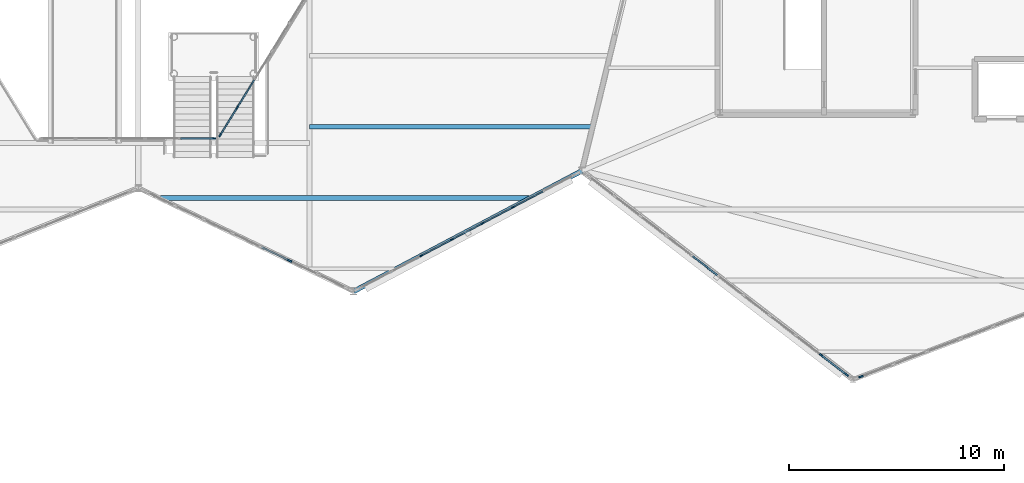
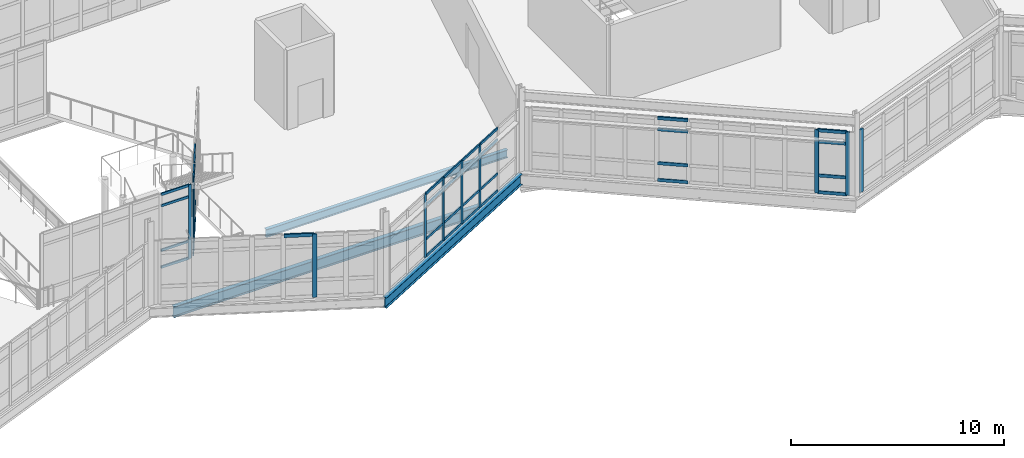
# One storey, part 19 of 76: 48 members, 3 beams, 6 elements without a shape of their own.
"""IFC4 building model written with IfcOpenShell, lengths in metres."""

from ifc_helpers import new_model, si_unit, direction, frame, origin, origin_2d, place, context, subcontext, project, spatial, rectangle, i_section, extrude, material, material_profile, profile_set, type_object, element, aggregate, save


model = new_model("IFC4")

# Units and contexts
model_context = context("Model", 3, precision=1e-05, world=origin(), true_north=direction((0.0, 1.0)))
body_context = subcontext(model_context, "Body", "Model", "MODEL_VIEW")
ifc_project = project(units=[si_unit("LENGTHUNIT", "METRE"), si_unit("AREAUNIT", "SQUARE_METRE"), si_unit("VOLUMEUNIT", "CUBIC_METRE"), si_unit("PLANEANGLEUNIT", "RADIAN"), si_unit("MASSUNIT", "GRAM", prefix="KILO")], contexts=[model_context])

# Site, building, storey
site_placement = place(None, origin())
site = spatial("IfcSite", under=ifc_project, at=site_placement, CompositionType="ELEMENT")
building_placement = place(site_placement, origin())
building = spatial("IfcBuilding", under=site, at=building_placement, Name="Tameran Prism Museum", CompositionType="ELEMENT")
storey_placement = place(building_placement, frame((0.0, 0.0, 15.0)))
storey = spatial("IfcBuildingStorey", under=building, at=storey_placement, Name="L03", CompositionType="ELEMENT", Elevation=15.0)

# Beams
ifc_material_1 = material(Name="Steel Grade 300PLUS (300 MPa)", Category="steel")
ifc_material_profile_1 = material_profile(ifc_material_1, i_section(OverallWidth=0.18994140625, OverallDepth=0.4541015625, WebThickness=0.008544921875, FlangeThickness=0.0126953125, FilletRadius=0.011474609375, at=origin_2d()))
ifc_profile_set_1 = profile_set([ifc_material_profile_1])
beam_type_1 = type_object("IfcBeamType", Name="BM-J460B", PredefinedType="JOIST", material=ifc_profile_set_1)
beam_1_placement = place(storey_placement, frame((85.449951171875, 30.25, -0.427001953125), z_axis=(1.0, 0.0, 0.0), x_axis=(0.0, 1.0, 0.0)))
element("IfcBeam", 1, at=beam_1_placement, inside=storey, type_object=beam_type_1, Name="Floor Beam BM-1088", PredefinedType="JOIST", context=body_context, shape_type="SweptSolid", body=[
    extrude(i_section(OverallWidth=0.18994140625, OverallDepth=0.4541015625, WebThickness=0.008544921875, FlangeThickness=0.0126953125, FilletRadius=0.011474609375, at=origin_2d()), origin(), (0.0, 0.0, 1.0), 13.10693359375),
])
ifc_material_2 = material(Name="Steel Grade 300PLUS (300 MPa)", Category="steel")
ifc_material_profile_2 = material_profile(ifc_material_2, i_section(OverallWidth=0.22802734375, OverallDepth=0.60205078125, WebThickness=0.010498046875, FlangeThickness=0.014892578125, FilletRadius=0.013916015625, at=origin_2d()))
ifc_profile_set_2 = profile_set([ifc_material_profile_2])
beam_type_2 = type_object("IfcBeamType", Name="BM-SP610", PredefinedType="SPANDREL", material=ifc_profile_set_2)
beam_2_placement = place(storey_placement, frame((87.5, 22.60009765625, -0.5009765625), z_axis=(0.884200208153, 0.46710811586, 0.0), x_axis=(-0.46710811586, 0.884200208153, 0.0)))
element("IfcBeam", 2, at=beam_2_placement, inside=storey, type_object=beam_type_2, Name="Perimeter Spandrel SP-0962", PredefinedType="SPANDREL", context=body_context, shape_type="SweptSolid", body=[
    extrude(i_section(OverallWidth=0.22802734375, OverallDepth=0.60205078125, WebThickness=0.010498046875, FlangeThickness=0.014892578125, FilletRadius=0.013916015625, at=origin_2d()), origin(), (0.0, 0.0, 1.0), 11.98828125),
])
ifc_material_3 = material(Name="Steel Grade 300PLUS (300 MPa)", Category="steel")
ifc_material_profile_3 = material_profile(ifc_material_3, i_section(OverallWidth=0.22802734375, OverallDepth=0.60693359375, WebThickness=0.01123046875, FlangeThickness=0.017333984375, FilletRadius=0.013916015625, at=origin_2d()))
ifc_profile_set_3 = profile_set([ifc_material_profile_3])
beam_type_3 = type_object("IfcBeamType", Name="BM-UB610B", PredefinedType="BEAM", material=ifc_profile_set_3)
beam_3_placement = place(storey_placement, frame((78.530029296875, 26.949951171875, -0.50341796875), z_axis=(1.0, 0.0, 0.0), x_axis=(0.0, 1.0, 0.0)))
element("IfcBeam", 3, at=beam_3_placement, inside=storey, type_object=beam_type_3, Name="Floor Beam BM-1087", PredefinedType="BEAM", context=body_context, shape_type="SweptSolid", body=[
    extrude(i_section(OverallWidth=0.22802734375, OverallDepth=0.60693359375, WebThickness=0.01123046875, FlangeThickness=0.017333984375, FilletRadius=0.013916015625, at=origin_2d()), origin(), (0.0, 0.0, 1.0), 17.117919921875),
])

# Curtain wall, member
ifc_material_4 = material(Name="Anodised Aluminium 6063-T6 and Cyclone Solar Glass", Category="aluminium")
curtain_wall_type_1 = type_object("IfcCurtainWallType", Name="CW-ATR-810x424", PredefinedType="USERDEFINED", material=ifc_material_4)
curtain_wall_1_placement = place(storey_placement, origin())
curtain_wall_1 = element("IfcCurtainWall", 4, at=curtain_wall_1_placement, inside=storey, type_object=curtain_wall_type_1, Name="Unitised Curtain Wall CW-011", ObjectType="UNITISED CURTAIN WALL", PredefinedType="USERDEFINED")
ifc_material_5 = material(Name="Anodised Aluminium Alloy 6063-T6", Category="aluminium")
ifc_material_profile_4 = material_profile(ifc_material_5, rectangle(XDim=0.06494140625, YDim=0.159912109375, at=origin_2d()))
ifc_profile_set_4 = profile_set([ifc_material_profile_4])
member_type_1 = type_object("IfcMemberType", Name="CW-MUL-A", PredefinedType="MULLION", material=ifc_profile_set_4)
member_1_placement = place(storey_placement, frame((81.017578125, 29.699951171875, 0.0), z_axis=(0.0, 0.0, 1.0), x_axis=(0.0, 1.0, 0.0)))
member_1 = element("IfcMember", 5, at=member_1_placement, type_object=member_type_1, Name="CW-011 mullion 6", PredefinedType="MULLION", context=body_context, shape_type="SweptSolid", body=[
    extrude(rectangle(XDim=0.06494140625, YDim=0.159912109375, at=origin_2d()), origin(), (0.0, 0.0, 1.0), 4.239990234375),
])

# Curtain wall, members
ifc_material_6 = material(Name="Anodised Aluminium 6063-T6 and Cyclone Solar Glass", Category="aluminium")
curtain_wall_type_2 = type_object("IfcCurtainWallType", Name="CW-ATR-769x424", PredefinedType="USERDEFINED", material=ifc_material_6)
curtain_wall_2_placement = place(storey_placement, origin())
curtain_wall_2 = element("IfcCurtainWall", 6, at=curtain_wall_2_placement, inside=storey, type_object=curtain_wall_type_2, Name="Unitised Curtain Wall CW-012", ObjectType="UNITISED CURTAIN WALL", PredefinedType="USERDEFINED")
member_2_placement = place(storey_placement, frame((81.296142578125, 29.855712890625, 0.0), z_axis=(0.0, 0.0, 1.0), x_axis=(-0.850791158897, 0.525503952357, 0.0)))
member_2 = element("IfcMember", 7, at=member_2_placement, type_object=member_type_1, Name="CW-012 mullion 1", PredefinedType="MULLION", context=body_context, shape_type="SweptSolid", body=[
    extrude(rectangle(XDim=0.06494140625, YDim=0.159912109375, at=origin_2d()), origin(), (0.0, 0.0, 1.0), 4.239990234375),
])
member_3_placement = place(storey_placement, frame((82.08740234375, 31.13671875, 0.0), z_axis=(0.0, 0.0, 1.0), x_axis=(-0.850791158897, 0.525503952357, 0.0)))
member_3 = element("IfcMember", 8, at=member_3_placement, type_object=member_type_1, Name="CW-012 mullion 2", PredefinedType="MULLION", context=body_context, shape_type="SweptSolid", body=[
    extrude(rectangle(XDim=0.06494140625, YDim=0.159912109375, at=origin_2d()), origin(), (0.0, 0.0, 1.0), 4.239990234375),
])

ifc_material_7 = material(Name="Anodised Aluminium 6063-T6 and Cyclone Solar Glass", Category="aluminium")
curtain_wall_type_3 = type_object("IfcCurtainWallType", Name="CW-FAC-1123x362", PredefinedType="USERDEFINED", material=ifc_material_7)
curtain_wall_3_placement = place(storey_placement, origin())
curtain_wall_3 = element("IfcCurtainWall", 9, at=curtain_wall_3_placement, inside=storey, type_object=curtain_wall_type_3, Name="Unitised Curtain Wall CW-139", ObjectType="UNITISED CURTAIN WALL", PredefinedType="USERDEFINED")
member_4_placement = place(storey_placement, frame((94.901123046875, 26.51025390625, 0.0), z_axis=(0.0, 0.0, 1.0), x_axis=(0.467155185438, -0.884175340483, 0.0)))
member_4 = element("IfcMember", 10, at=member_4_placement, type_object=member_type_1, Name="CW-139 mullion 3", PredefinedType="MULLION", context=body_context, shape_type="SweptSolid", body=[
    extrude(rectangle(XDim=0.06494140625, YDim=0.159912109375, at=origin_2d()), origin(), (0.0, 0.0, 1.0), 3.6201171875),
])
member_5_placement = place(storey_placement, frame((93.482666015625, 25.7607421875, 0.0), z_axis=(0.0, 0.0, 1.0), x_axis=(0.467155185438, -0.884175340483, 0.0)))
member_5 = element("IfcMember", 11, at=member_5_placement, type_object=member_type_1, Name="CW-139 mullion 4", PredefinedType="MULLION", context=body_context, shape_type="SweptSolid", body=[
    extrude(rectangle(XDim=0.06494140625, YDim=0.159912109375, at=origin_2d()), origin(), (0.0, 0.0, 1.0), 3.6201171875),
])
member_6_placement = place(storey_placement, frame((92.064208984375, 25.01123046875, 0.0), z_axis=(0.0, 0.0, 1.0), x_axis=(0.467155185438, -0.884175340483, 0.0)))
member_6 = element("IfcMember", 12, at=member_6_placement, type_object=member_type_1, Name="CW-139 mullion 5", PredefinedType="MULLION", context=body_context, shape_type="SweptSolid", body=[
    extrude(rectangle(XDim=0.06494140625, YDim=0.159912109375, at=origin_2d()), origin(), (0.0, 0.0, 1.0), 3.6201171875),
])
member_7_placement = place(storey_placement, frame((90.645751953125, 24.261962890625, 0.0), z_axis=(0.0, 0.0, 1.0), x_axis=(0.467155185438, -0.884175340483, 0.0)))
member_7 = element("IfcMember", 13, at=member_7_placement, type_object=member_type_1, Name="CW-139 mullion 6", PredefinedType="MULLION", context=body_context, shape_type="SweptSolid", body=[
    extrude(rectangle(XDim=0.06494140625, YDim=0.159912109375, at=origin_2d()), origin(), (0.0, 0.0, 1.0), 3.6201171875),
])

ifc_material_8 = material(Name="Anodised Aluminium 6063-T6 and Cyclone Solar Glass", Category="aluminium")
curtain_wall_type_4 = type_object("IfcCurtainWallType", Name="CW-FAC-1514x362", PredefinedType="USERDEFINED", material=ifc_material_8)
curtain_wall_4_placement = place(storey_placement, origin())
curtain_wall_4 = element("IfcCurtainWall", 14, at=curtain_wall_4_placement, inside=storey, type_object=curtain_wall_type_4, Name="Unitised Curtain Wall CW-145", ObjectType="UNITISED CURTAIN WALL", PredefinedType="USERDEFINED")
ifc_material_9 = material(Name="Anodised Aluminium Alloy 6063-T6", Category="aluminium")
ifc_material_profile_5 = material_profile(ifc_material_9, rectangle(XDim=0.074951171875, YDim=0.199951171875, at=origin_2d()))
ifc_profile_set_5 = profile_set([ifc_material_profile_5])
member_type_2 = type_object("IfcMemberType", Name="CW-MUL-C", PredefinedType="MULLION", material=ifc_profile_set_5)
member_8_placement = place(storey_placement, frame((110.393310546875, 18.73583984375, 0.0), z_axis=(0.0, 0.0, 1.0), x_axis=(-0.610001143702, -0.79240053299, 0.0)))
member_8 = element("IfcMember", 15, at=member_8_placement, type_object=member_type_2, Name="CW-145 mullion 1", PredefinedType="MULLION", context=body_context, shape_type="SweptSolid", body=[
    extrude(rectangle(XDim=0.074951171875, YDim=0.199951171875, at=origin_2d()), origin(), (0.0, 0.0, 1.0), 3.6201171875),
])
member_9_placement = place(storey_placement, frame((109.22314453125, 19.63671875, 0.0), z_axis=(0.0, 0.0, 1.0), x_axis=(-0.610001143702, -0.79240053299, 0.0)))
member_9 = element("IfcMember", 16, at=member_9_placement, type_object=member_type_2, Name="CW-145 mullion 2", PredefinedType="MULLION", context=body_context, shape_type="SweptSolid", body=[
    extrude(rectangle(XDim=0.074951171875, YDim=0.199951171875, at=origin_2d()), origin(), (0.0, 0.0, 1.0), 3.6201171875),
])

# Curtain wall, member
ifc_material_10 = material(Name="Anodised Aluminium 6063-T6 and Cyclone Solar Glass", Category="aluminium")
curtain_wall_type_5 = type_object("IfcCurtainWallType", Name="CW-FAC-1033x362", PredefinedType="USERDEFINED", material=ifc_material_10)
curtain_wall_5_placement = place(storey_placement, origin())
curtain_wall_5 = element("IfcCurtainWall", 17, at=curtain_wall_5_placement, inside=storey, type_object=curtain_wall_type_5, Name="Unitised Curtain Wall CW-138", ObjectType="UNITISED CURTAIN WALL", PredefinedType="USERDEFINED")
ifc_material_11 = material(Name="Anodised Aluminium Alloy 6063-T6", Category="aluminium")
ifc_material_profile_6 = material_profile(ifc_material_11, rectangle(XDim=0.080078125, YDim=0.219970703125, at=origin_2d()))
ifc_profile_set_6 = profile_set([ifc_material_profile_6])
member_type_3 = type_object("IfcMemberType", Name="CW-MUL-D", PredefinedType="MULLION", material=ifc_profile_set_6)
member_10_placement = place(storey_placement, frame((84.52294921875, 24.02880859375, 0.0), z_axis=(0.0, 0.0, 1.0), x_axis=(-0.432831753637, -0.901474721245, 0.0)))
member_10 = element("IfcMember", 18, at=member_10_placement, type_object=member_type_3, Name="CW-138 mullion 3", PredefinedType="MULLION", context=body_context, shape_type="SweptSolid", body=[
    extrude(rectangle(XDim=0.080078125, YDim=0.219970703125, at=origin_2d()), origin(), (0.0, 0.0, 1.0), 3.6201171875),
])

ifc_material_12 = material(Name="Anodised Aluminium 6063-T6 and Cyclone Solar Glass", Category="aluminium")
curtain_wall_type_6 = type_object("IfcCurtainWallType", Name="CW-FAC-994x362", PredefinedType="USERDEFINED", material=ifc_material_12)
curtain_wall_6_placement = place(storey_placement, origin())
curtain_wall_6 = element("IfcCurtainWall", 19, at=curtain_wall_6_placement, inside=storey, type_object=curtain_wall_type_6, Name="Unitised Curtain Wall CW-146", ObjectType="UNITISED CURTAIN WALL", PredefinedType="USERDEFINED")
member_11_placement = place(storey_placement, frame((111.064453125, 18.63818359375, 0.0), z_axis=(0.0, 0.0, 1.0), x_axis=(0.355288098442, -0.934756849189, 0.0)))
member_11 = element("IfcMember", 20, at=member_11_placement, type_object=member_type_3, Name="CW-146 mullion 7", PredefinedType="MULLION", context=body_context, shape_type="SweptSolid", body=[
    extrude(rectangle(XDim=0.080078125, YDim=0.219970703125, at=origin_2d()), origin(), (0.0, 0.0, 1.0), 3.6201171875),
])
aggregate(curtain_wall_6, [member_11])

# Member
ifc_material_13 = material(Name="Anodised Aluminium Alloy 6063-T6", Category="aluminium")
ifc_material_profile_7 = material_profile(ifc_material_13, rectangle(XDim=0.06494140625, YDim=0.139892578125, at=origin_2d()))
ifc_profile_set_7 = profile_set([ifc_material_profile_7])
member_type_4 = type_object("IfcMemberType", Name="CW-TRN-A", PredefinedType="USERDEFINED", material=ifc_profile_set_7)
member_12_placement = place(storey_placement, frame((79.46240234375, 29.699951171875, 0.032470703125), z_axis=(1.0, 0.0, 0.0), x_axis=(0.0, 1.0, 0.0)))
member_12 = element("IfcMember", 21, at=member_12_placement, type_object=member_type_4, Name="CW-011 transom 5.1", ObjectType="TRANSOM", PredefinedType="USERDEFINED", context=body_context, shape_type="SweptSolid", body=[
    extrude(rectangle(XDim=0.06494140625, YDim=0.139892578125, at=origin_2d()), origin(), (0.0, 0.0, 1.0), 1.522705078125),
])

member_13_placement = place(storey_placement, frame((79.46240234375, 29.699951171875, 1.0), z_axis=(1.0, 0.0, 0.0), x_axis=(0.0, 1.0, 0.0)))
member_13 = element("IfcMember", 22, at=member_13_placement, type_object=member_type_4, Name="CW-011 transom 5.2", ObjectType="TRANSOM", PredefinedType="USERDEFINED", context=body_context, shape_type="SweptSolid", body=[
    extrude(rectangle(XDim=0.06494140625, YDim=0.139892578125, at=origin_2d()), origin(), (0.0, 0.0, 1.0), 1.522705078125),
])

member_14_placement = place(storey_placement, frame((79.46240234375, 29.699951171875, 3.56005859375), z_axis=(1.0, 0.0, 0.0), x_axis=(0.0, 1.0, 0.0)))
member_14 = element("IfcMember", 23, at=member_14_placement, type_object=member_type_4, Name="CW-011 transom 5.3", ObjectType="TRANSOM", PredefinedType="USERDEFINED", context=body_context, shape_type="SweptSolid", body=[
    extrude(rectangle(XDim=0.06494140625, YDim=0.139892578125, at=origin_2d()), origin(), (0.0, 0.0, 1.0), 1.522705078125),
])

member_15_placement = place(storey_placement, frame((79.46240234375, 29.699951171875, 4.20751953125), z_axis=(1.0, 0.0, 0.0), x_axis=(0.0, 1.0, 0.0)))
member_15 = element("IfcMember", 24, at=member_15_placement, type_object=member_type_4, Name="CW-011 transom 5.4", ObjectType="TRANSOM", PredefinedType="USERDEFINED", context=body_context, shape_type="SweptSolid", body=[
    extrude(rectangle(XDim=0.06494140625, YDim=0.139892578125, at=origin_2d()), origin(), (0.0, 0.0, 1.0), 1.522705078125),
])

aggregate(curtain_wall_1, [member_1, member_12, member_13, member_14, member_15])

member_16_placement = place(storey_placement, frame((81.313232421875, 29.88330078125, 0.032470703125), z_axis=(0.525467627301, 0.850813594543, 0.0), x_axis=(-0.850813594543, 0.525467627301, 0.0)))
member_16 = element("IfcMember", 25, at=member_16_placement, type_object=member_type_4, Name="CW-012 transom 1.1", ObjectType="TRANSOM", PredefinedType="USERDEFINED", context=body_context, shape_type="SweptSolid", body=[
    extrude(rectangle(XDim=0.06494140625, YDim=0.139892578125, at=origin_2d()), origin(), (0.0, 0.0, 1.0), 1.440673828125),
])

member_17_placement = place(storey_placement, frame((81.313232421875, 29.88330078125, 1.0), z_axis=(0.525467627301, 0.850813594543, 0.0), x_axis=(-0.850813594543, 0.525467627301, 0.0)))
member_17 = element("IfcMember", 26, at=member_17_placement, type_object=member_type_4, Name="CW-012 transom 1.2", ObjectType="TRANSOM", PredefinedType="USERDEFINED", context=body_context, shape_type="SweptSolid", body=[
    extrude(rectangle(XDim=0.06494140625, YDim=0.139892578125, at=origin_2d()), origin(), (0.0, 0.0, 1.0), 1.440673828125),
])

member_18_placement = place(storey_placement, frame((81.313232421875, 29.88330078125, 3.56005859375), z_axis=(0.525467627301, 0.850813594543, 0.0), x_axis=(-0.850813594543, 0.525467627301, 0.0)))
member_18 = element("IfcMember", 27, at=member_18_placement, type_object=member_type_4, Name="CW-012 transom 1.3", ObjectType="TRANSOM", PredefinedType="USERDEFINED", context=body_context, shape_type="SweptSolid", body=[
    extrude(rectangle(XDim=0.06494140625, YDim=0.139892578125, at=origin_2d()), origin(), (0.0, 0.0, 1.0), 1.440673828125),
])

member_19_placement = place(storey_placement, frame((81.313232421875, 29.88330078125, 4.20751953125), z_axis=(0.525467627301, 0.850813594543, 0.0), x_axis=(-0.850813594543, 0.525467627301, 0.0)))
member_19 = element("IfcMember", 28, at=member_19_placement, type_object=member_type_4, Name="CW-012 transom 1.4", ObjectType="TRANSOM", PredefinedType="USERDEFINED", context=body_context, shape_type="SweptSolid", body=[
    extrude(rectangle(XDim=0.06494140625, YDim=0.139892578125, at=origin_2d()), origin(), (0.0, 0.0, 1.0), 1.440673828125),
])

member_20_placement = place(storey_placement, frame((82.1044921875, 31.16455078125, 0.032470703125), z_axis=(0.525492880722, 0.850797997359, 0.0), x_axis=(-0.850797997359, 0.525492880722, 0.0)))
member_20 = element("IfcMember", 29, at=member_20_placement, type_object=member_type_4, Name="CW-012 transom 2.1", ObjectType="TRANSOM", PredefinedType="USERDEFINED", context=body_context, shape_type="SweptSolid", body=[
    extrude(rectangle(XDim=0.06494140625, YDim=0.139892578125, at=origin_2d()), origin(), (0.0, 0.0, 1.0), 1.47314453125),
])

member_21_placement = place(storey_placement, frame((82.1044921875, 31.16455078125, 1.0), z_axis=(0.525492880722, 0.850797997359, 0.0), x_axis=(-0.850797997359, 0.525492880722, 0.0)))
member_21 = element("IfcMember", 30, at=member_21_placement, type_object=member_type_4, Name="CW-012 transom 2.2", ObjectType="TRANSOM", PredefinedType="USERDEFINED", context=body_context, shape_type="SweptSolid", body=[
    extrude(rectangle(XDim=0.06494140625, YDim=0.139892578125, at=origin_2d()), origin(), (0.0, 0.0, 1.0), 1.47314453125),
])

member_22_placement = place(storey_placement, frame((82.1044921875, 31.16455078125, 3.56005859375), z_axis=(0.525492880722, 0.850797997359, 0.0), x_axis=(-0.850797997359, 0.525492880722, 0.0)))
member_22 = element("IfcMember", 31, at=member_22_placement, type_object=member_type_4, Name="CW-012 transom 2.3", ObjectType="TRANSOM", PredefinedType="USERDEFINED", context=body_context, shape_type="SweptSolid", body=[
    extrude(rectangle(XDim=0.06494140625, YDim=0.139892578125, at=origin_2d()), origin(), (0.0, 0.0, 1.0), 1.47314453125),
])

member_23_placement = place(storey_placement, frame((82.1044921875, 31.16455078125, 4.20751953125), z_axis=(0.525492880722, 0.850797997359, 0.0), x_axis=(-0.850797997359, 0.525492880722, 0.0)))
member_23 = element("IfcMember", 32, at=member_23_placement, type_object=member_type_4, Name="CW-012 transom 2.4", ObjectType="TRANSOM", PredefinedType="USERDEFINED", context=body_context, shape_type="SweptSolid", body=[
    extrude(rectangle(XDim=0.06494140625, YDim=0.139892578125, at=origin_2d()), origin(), (0.0, 0.0, 1.0), 1.47314453125),
])

aggregate(curtain_wall_2, [member_2, member_3, member_16, member_17, member_18, member_19, member_20, member_21, member_22, member_23])

member_24_placement = place(storey_placement, frame((96.290771484375, 27.244384765625, 0.032470703125), z_axis=(-0.884177313525, -0.467151451082, 0.0), x_axis=(0.467151451082, -0.884177313525, 0.0)))
member_24 = element("IfcMember", 33, at=member_24_placement, type_object=member_type_4, Name="CW-139 transom 2.1", ObjectType="TRANSOM", PredefinedType="USERDEFINED", context=body_context, shape_type="SweptSolid", body=[
    extrude(rectangle(XDim=0.06494140625, YDim=0.139892578125, at=origin_2d()), origin(), (0.0, 0.0, 1.0), 1.5390625),
])

member_25_placement = place(storey_placement, frame((96.290771484375, 27.244384765625, 1.0), z_axis=(-0.884177313525, -0.467151451082, 0.0), x_axis=(0.467151451082, -0.884177313525, 0.0)))
member_25 = element("IfcMember", 34, at=member_25_placement, type_object=member_type_4, Name="CW-139 transom 2.2", ObjectType="TRANSOM", PredefinedType="USERDEFINED", context=body_context, shape_type="SweptSolid", body=[
    extrude(rectangle(XDim=0.06494140625, YDim=0.139892578125, at=origin_2d()), origin(), (0.0, 0.0, 1.0), 1.5390625),
])

member_26_placement = place(storey_placement, frame((96.290771484375, 27.244384765625, 2.93994140625), z_axis=(-0.884177313525, -0.467151451082, 0.0), x_axis=(0.467151451082, -0.884177313525, 0.0)))
member_26 = element("IfcMember", 35, at=member_26_placement, type_object=member_type_4, Name="CW-139 transom 2.3", ObjectType="TRANSOM", PredefinedType="USERDEFINED", context=body_context, shape_type="SweptSolid", body=[
    extrude(rectangle(XDim=0.06494140625, YDim=0.139892578125, at=origin_2d()), origin(), (0.0, 0.0, 1.0), 1.5390625),
])

member_27_placement = place(storey_placement, frame((96.290771484375, 27.244384765625, 3.58740234375), z_axis=(-0.884177313525, -0.467151451082, 0.0), x_axis=(0.467151451082, -0.884177313525, 0.0)))
member_27 = element("IfcMember", 36, at=member_27_placement, type_object=member_type_4, Name="CW-139 transom 2.4", ObjectType="TRANSOM", PredefinedType="USERDEFINED", context=body_context, shape_type="SweptSolid", body=[
    extrude(rectangle(XDim=0.06494140625, YDim=0.139892578125, at=origin_2d()), origin(), (0.0, 0.0, 1.0), 1.5390625),
])

member_28_placement = place(storey_placement, frame((94.872314453125, 26.494873046875, 0.032470703125), z_axis=(-0.884177313525, -0.467151451082, 0.0), x_axis=(0.467151451082, -0.884177313525, 0.0)))
member_28 = element("IfcMember", 37, at=member_28_placement, type_object=member_type_4, Name="CW-139 transom 3.1", ObjectType="TRANSOM", PredefinedType="USERDEFINED", context=body_context, shape_type="SweptSolid", body=[
    extrude(rectangle(XDim=0.06494140625, YDim=0.139892578125, at=origin_2d()), origin(), (0.0, 0.0, 1.0), 1.5390625),
])

member_29_placement = place(storey_placement, frame((94.872314453125, 26.494873046875, 1.0), z_axis=(-0.884177313525, -0.467151451082, 0.0), x_axis=(0.467151451082, -0.884177313525, 0.0)))
member_29 = element("IfcMember", 38, at=member_29_placement, type_object=member_type_4, Name="CW-139 transom 3.2", ObjectType="TRANSOM", PredefinedType="USERDEFINED", context=body_context, shape_type="SweptSolid", body=[
    extrude(rectangle(XDim=0.06494140625, YDim=0.139892578125, at=origin_2d()), origin(), (0.0, 0.0, 1.0), 1.5390625),
])

member_30_placement = place(storey_placement, frame((94.872314453125, 26.494873046875, 2.93994140625), z_axis=(-0.884177313525, -0.467151451082, 0.0), x_axis=(0.467151451082, -0.884177313525, 0.0)))
member_30 = element("IfcMember", 39, at=member_30_placement, type_object=member_type_4, Name="CW-139 transom 3.3", ObjectType="TRANSOM", PredefinedType="USERDEFINED", context=body_context, shape_type="SweptSolid", body=[
    extrude(rectangle(XDim=0.06494140625, YDim=0.139892578125, at=origin_2d()), origin(), (0.0, 0.0, 1.0), 1.5390625),
])

member_31_placement = place(storey_placement, frame((94.872314453125, 26.494873046875, 3.58740234375), z_axis=(-0.884177313525, -0.467151451082, 0.0), x_axis=(0.467151451082, -0.884177313525, 0.0)))
member_31 = element("IfcMember", 40, at=member_31_placement, type_object=member_type_4, Name="CW-139 transom 3.4", ObjectType="TRANSOM", PredefinedType="USERDEFINED", context=body_context, shape_type="SweptSolid", body=[
    extrude(rectangle(XDim=0.06494140625, YDim=0.139892578125, at=origin_2d()), origin(), (0.0, 0.0, 1.0), 1.5390625),
])

member_32_placement = place(storey_placement, frame((93.453857421875, 25.74560546875, 0.032470703125), z_axis=(-0.884111790352, -0.467275445708, 0.0), x_axis=(0.467275445708, -0.884111790352, 0.0)))
member_32 = element("IfcMember", 41, at=member_32_placement, type_object=member_type_4, Name="CW-139 transom 4.1", ObjectType="TRANSOM", PredefinedType="USERDEFINED", context=body_context, shape_type="SweptSolid", body=[
    extrude(rectangle(XDim=0.06494140625, YDim=0.139892578125, at=origin_2d()), origin(), (0.0, 0.0, 1.0), 1.539306640625),
])

member_33_placement = place(storey_placement, frame((93.453857421875, 25.74560546875, 1.0), z_axis=(-0.884111790352, -0.467275445708, 0.0), x_axis=(0.467275445708, -0.884111790352, 0.0)))
member_33 = element("IfcMember", 42, at=member_33_placement, type_object=member_type_4, Name="CW-139 transom 4.2", ObjectType="TRANSOM", PredefinedType="USERDEFINED", context=body_context, shape_type="SweptSolid", body=[
    extrude(rectangle(XDim=0.06494140625, YDim=0.139892578125, at=origin_2d()), origin(), (0.0, 0.0, 1.0), 1.539306640625),
])

member_34_placement = place(storey_placement, frame((93.453857421875, 25.74560546875, 2.93994140625), z_axis=(-0.884111790352, -0.467275445708, 0.0), x_axis=(0.467275445708, -0.884111790352, 0.0)))
member_34 = element("IfcMember", 43, at=member_34_placement, type_object=member_type_4, Name="CW-139 transom 4.3", ObjectType="TRANSOM", PredefinedType="USERDEFINED", context=body_context, shape_type="SweptSolid", body=[
    extrude(rectangle(XDim=0.06494140625, YDim=0.139892578125, at=origin_2d()), origin(), (0.0, 0.0, 1.0), 1.539306640625),
])

member_35_placement = place(storey_placement, frame((93.453857421875, 25.74560546875, 3.58740234375), z_axis=(-0.884111790352, -0.467275445708, 0.0), x_axis=(0.467275445708, -0.884111790352, 0.0)))
member_35 = element("IfcMember", 44, at=member_35_placement, type_object=member_type_4, Name="CW-139 transom 4.4", ObjectType="TRANSOM", PredefinedType="USERDEFINED", context=body_context, shape_type="SweptSolid", body=[
    extrude(rectangle(XDim=0.06494140625, YDim=0.139892578125, at=origin_2d()), origin(), (0.0, 0.0, 1.0), 1.539306640625),
])

member_36_placement = place(storey_placement, frame((92.03564453125, 24.99609375, 0.032470703125), z_axis=(-0.884211923114, -0.467085939654, 0.0), x_axis=(0.467085939654, -0.884211923114, 0.0)))
member_36 = element("IfcMember", 45, at=member_36_placement, type_object=member_type_4, Name="CW-139 transom 5.1", ObjectType="TRANSOM", PredefinedType="USERDEFINED", context=body_context, shape_type="SweptSolid", body=[
    extrude(rectangle(XDim=0.06494140625, YDim=0.139892578125, at=origin_2d()), origin(), (0.0, 0.0, 1.0), 1.539306640625),
])

member_37_placement = place(storey_placement, frame((92.03564453125, 24.99609375, 1.0), z_axis=(-0.884211923114, -0.467085939654, 0.0), x_axis=(0.467085939654, -0.884211923114, 0.0)))
member_37 = element("IfcMember", 46, at=member_37_placement, type_object=member_type_4, Name="CW-139 transom 5.2", ObjectType="TRANSOM", PredefinedType="USERDEFINED", context=body_context, shape_type="SweptSolid", body=[
    extrude(rectangle(XDim=0.06494140625, YDim=0.139892578125, at=origin_2d()), origin(), (0.0, 0.0, 1.0), 1.539306640625),
])

member_38_placement = place(storey_placement, frame((92.03564453125, 24.99609375, 2.93994140625), z_axis=(-0.884211923114, -0.467085939654, 0.0), x_axis=(0.467085939654, -0.884211923114, 0.0)))
member_38 = element("IfcMember", 47, at=member_38_placement, type_object=member_type_4, Name="CW-139 transom 5.3", ObjectType="TRANSOM", PredefinedType="USERDEFINED", context=body_context, shape_type="SweptSolid", body=[
    extrude(rectangle(XDim=0.06494140625, YDim=0.139892578125, at=origin_2d()), origin(), (0.0, 0.0, 1.0), 1.539306640625),
])

member_39_placement = place(storey_placement, frame((92.03564453125, 24.99609375, 3.58740234375), z_axis=(-0.884211923114, -0.467085939654, 0.0), x_axis=(0.467085939654, -0.884211923114, 0.0)))
member_39 = element("IfcMember", 48, at=member_39_placement, type_object=member_type_4, Name="CW-139 transom 5.4", ObjectType="TRANSOM", PredefinedType="USERDEFINED", context=body_context, shape_type="SweptSolid", body=[
    extrude(rectangle(XDim=0.06494140625, YDim=0.139892578125, at=origin_2d()), origin(), (0.0, 0.0, 1.0), 1.539306640625),
])

aggregate(curtain_wall_3, [member_4, member_5, member_6, member_7, member_24, member_25, member_26, member_27, member_28, member_29, member_30, member_31, member_32, member_33, member_34, member_35, member_36, member_37, member_38, member_39])

ifc_material_14 = material(Name="Anodised Aluminium Alloy 6063-T6", Category="aluminium")
ifc_material_profile_8 = material_profile(ifc_material_14, rectangle(XDim=0.074951171875, YDim=0.175048828125, at=origin_2d()))
ifc_profile_set_8 = profile_set([ifc_material_profile_8])
member_type_5 = type_object("IfcMemberType", Name="CW-TRN-C", PredefinedType="USERDEFINED", material=ifc_profile_set_8)
member_40_placement = place(storey_placement, frame((110.363525390625, 18.7587890625, 0.03759765625), z_axis=(-0.792390814293, 0.610013768225, 0.0), x_axis=(-0.610013768225, -0.792390814293, 0.0)))
member_40 = element("IfcMember", 49, at=member_40_placement, type_object=member_type_5, Name="CW-145 transom 1.1", ObjectType="TRANSOM", PredefinedType="USERDEFINED", context=body_context, shape_type="SweptSolid", body=[
    extrude(rectangle(XDim=0.074951171875, YDim=0.175048828125, at=origin_2d()), origin(), (0.0, 0.0, 1.0), 1.401611328125),
])

member_41_placement = place(storey_placement, frame((110.363525390625, 18.7587890625, 1.0), z_axis=(-0.792390814293, 0.610013768225, 0.0), x_axis=(-0.610013768225, -0.792390814293, 0.0)))
member_41 = element("IfcMember", 50, at=member_41_placement, type_object=member_type_5, Name="CW-145 transom 1.2", ObjectType="TRANSOM", PredefinedType="USERDEFINED", context=body_context, shape_type="SweptSolid", body=[
    extrude(rectangle(XDim=0.074951171875, YDim=0.175048828125, at=origin_2d()), origin(), (0.0, 0.0, 1.0), 1.401611328125),
])

member_42_placement = place(storey_placement, frame((110.363525390625, 18.7587890625, 2.93994140625), z_axis=(-0.792390814293, 0.610013768225, 0.0), x_axis=(-0.610013768225, -0.792390814293, 0.0)))
member_42 = element("IfcMember", 51, at=member_42_placement, type_object=member_type_5, Name="CW-145 transom 1.3", ObjectType="TRANSOM", PredefinedType="USERDEFINED", context=body_context, shape_type="SweptSolid", body=[
    extrude(rectangle(XDim=0.074951171875, YDim=0.175048828125, at=origin_2d()), origin(), (0.0, 0.0, 1.0), 1.401611328125),
])

member_43_placement = place(storey_placement, frame((110.363525390625, 18.7587890625, 3.58251953125), z_axis=(-0.792390814293, 0.610013768225, 0.0), x_axis=(-0.610013768225, -0.792390814293, 0.0)))
member_43 = element("IfcMember", 52, at=member_43_placement, type_object=member_type_5, Name="CW-145 transom 1.4", ObjectType="TRANSOM", PredefinedType="USERDEFINED", context=body_context, shape_type="SweptSolid", body=[
    extrude(rectangle(XDim=0.074951171875, YDim=0.175048828125, at=origin_2d()), origin(), (0.0, 0.0, 1.0), 1.401611328125),
])

member_44_placement = place(storey_placement, frame((104.393798828125, 23.3544921875, 0.03759765625), z_axis=(-0.79238428899, 0.610022244318, 0.0), x_axis=(-0.610022244318, -0.79238428899, 0.0)))
member_44 = element("IfcMember", 53, at=member_44_placement, type_object=member_type_5, Name="CW-145 transom 6.1", ObjectType="TRANSOM", PredefinedType="USERDEFINED", context=body_context, shape_type="SweptSolid", body=[
    extrude(rectangle(XDim=0.074951171875, YDim=0.175048828125, at=origin_2d()), origin(), (0.0, 0.0, 1.0), 1.439208984375),
])

member_45_placement = place(storey_placement, frame((104.393798828125, 23.3544921875, 1.0), z_axis=(-0.79238428899, 0.610022244318, 0.0), x_axis=(-0.610022244318, -0.79238428899, 0.0)))
member_45 = element("IfcMember", 54, at=member_45_placement, type_object=member_type_5, Name="CW-145 transom 6.2", ObjectType="TRANSOM", PredefinedType="USERDEFINED", context=body_context, shape_type="SweptSolid", body=[
    extrude(rectangle(XDim=0.074951171875, YDim=0.175048828125, at=origin_2d()), origin(), (0.0, 0.0, 1.0), 1.439208984375),
])

member_46_placement = place(storey_placement, frame((104.393798828125, 23.3544921875, 2.93994140625), z_axis=(-0.79238428899, 0.610022244318, 0.0), x_axis=(-0.610022244318, -0.79238428899, 0.0)))
member_46 = element("IfcMember", 55, at=member_46_placement, type_object=member_type_5, Name="CW-145 transom 6.3", ObjectType="TRANSOM", PredefinedType="USERDEFINED", context=body_context, shape_type="SweptSolid", body=[
    extrude(rectangle(XDim=0.074951171875, YDim=0.175048828125, at=origin_2d()), origin(), (0.0, 0.0, 1.0), 1.439208984375),
])

member_47_placement = place(storey_placement, frame((104.393798828125, 23.3544921875, 3.58251953125), z_axis=(-0.79238428899, 0.610022244318, 0.0), x_axis=(-0.610022244318, -0.79238428899, 0.0)))
member_47 = element("IfcMember", 56, at=member_47_placement, type_object=member_type_5, Name="CW-145 transom 6.4", ObjectType="TRANSOM", PredefinedType="USERDEFINED", context=body_context, shape_type="SweptSolid", body=[
    extrude(rectangle(XDim=0.074951171875, YDim=0.175048828125, at=origin_2d()), origin(), (0.0, 0.0, 1.0), 1.439208984375),
])

aggregate(curtain_wall_4, [member_8, member_9, member_40, member_41, member_42, member_43, member_44, member_45, member_46, member_47])

ifc_material_15 = material(Name="Anodised Aluminium Alloy 6063-T6", Category="aluminium")
ifc_material_profile_9 = material_profile(ifc_material_15, rectangle(XDim=0.080078125, YDim=0.195068359375, at=origin_2d()))
ifc_profile_set_9 = profile_set([ifc_material_profile_9])
member_type_6 = type_object("IfcMemberType", Name="CW-TRN-D", PredefinedType="USERDEFINED", material=ifc_profile_set_9)
member_48_placement = place(storey_placement, frame((84.48681640625, 24.046142578125, 3.580078125), z_axis=(-0.901550346473, 0.432674210897, 0.0), x_axis=(-0.432674210897, -0.901550346473, 0.0)))
member_48 = element("IfcMember", 57, at=member_48_placement, type_object=member_type_6, Name="CW-138 transom 3.4", ObjectType="TRANSOM", PredefinedType="USERDEFINED", context=body_context, shape_type="SweptSolid", body=[
    extrude(rectangle(XDim=0.080078125, YDim=0.195068359375, at=origin_2d()), origin(), (0.0, 0.0, 1.0), 1.39599609375),
])

aggregate(curtain_wall_5, [member_10, member_48])

save(model, "model.ifc")
